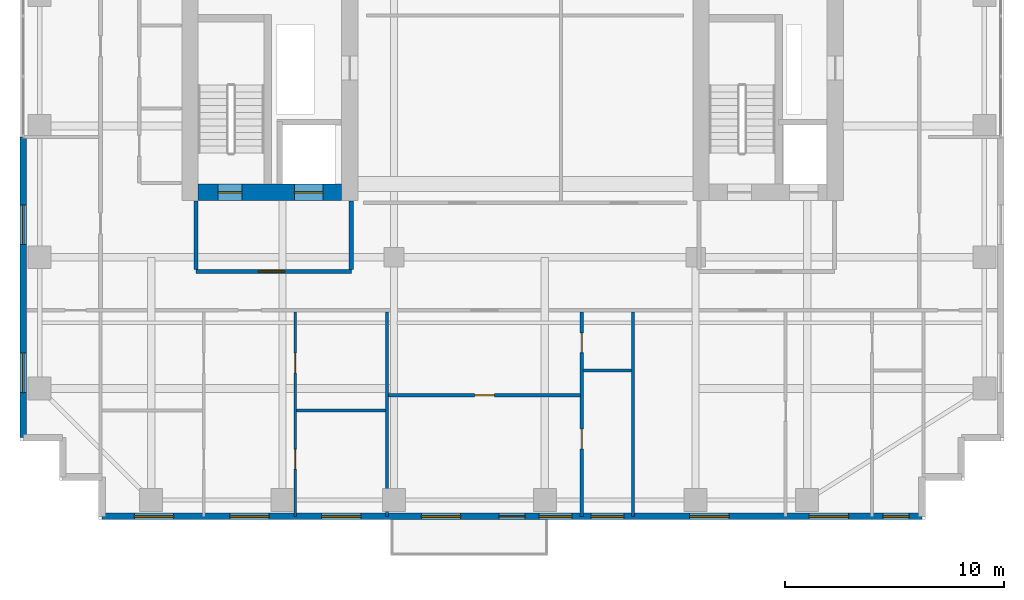
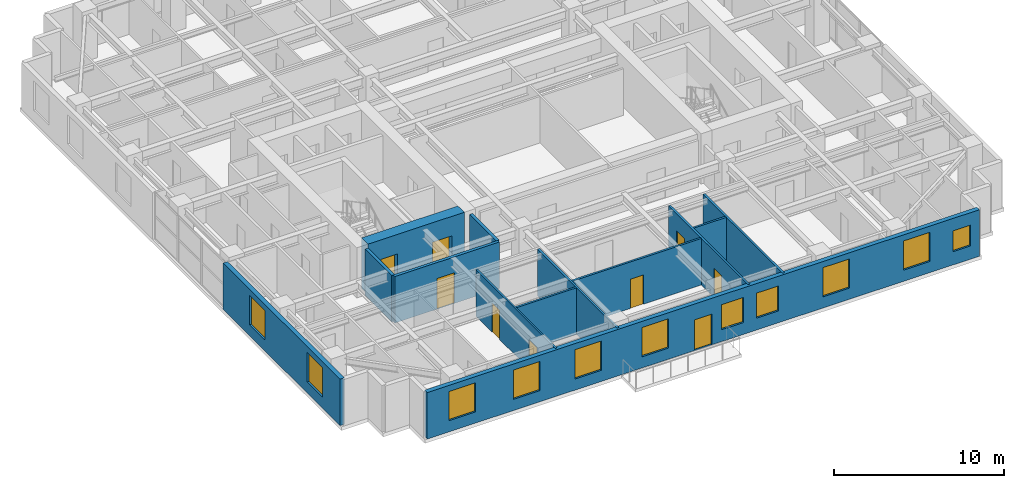
# One storey, part 7 of 13: 13 walls, 11 windows, 9 doors, 20 openings.
"""IFC4 building model written with IfcOpenShell, lengths in metres."""

from ifc_helpers import new_model, si_unit, direction, frame, frame_2d, origin, place, context, subcontext, project, spatial, rectangle, extrude, source, transform, mapped, material, layer, layer_set, type_object, element, fill, save


model = new_model("IFC4")

# Units and contexts
model_context = context("Model", 3, precision=1e-05, world=origin(), true_north=direction((0.0, 1.0)))
body_context = subcontext(model_context, "Body", "Model", "MODEL_VIEW")
ifc_project = project(units=[si_unit("LENGTHUNIT", "METRE"), si_unit("AREAUNIT", "SQUARE_METRE"), si_unit("VOLUMEUNIT", "CUBIC_METRE"), si_unit("PLANEANGLEUNIT", "RADIAN"), si_unit("MASSUNIT", "GRAM", prefix="KILO")], contexts=[model_context])

# Site, building, storey
site_placement = place(None, origin())
site = spatial("IfcSite", under=ifc_project, at=site_placement, CompositionType="ELEMENT")
building_placement = place(site_placement, origin())
building = spatial("IfcBuilding", under=site, at=building_placement, Name="Khoralis Quay Care Tower", CompositionType="ELEMENT")
storey_placement = place(building_placement, frame((0.0, 0.0, 87.300048828125)))
storey = spatial("IfcBuildingStorey", under=building, at=storey_placement, Name="L22", CompositionType="ELEMENT", Elevation=87.300048828125)

# Wall, opening, door
ifc_material_1 = material(Name="Gypsum plasterboard on acoustic metal stud")
ifc_layer_1 = layer(ifc_material_1, 0.199951171875)
ifc_layer_set_1 = layer_set([ifc_layer_1], Name="Gypsum plasterboard on acoustic metal stud")
wall_type_1 = type_object("IfcWallType", Name="WL-COMP-200", PredefinedType="PARTITIONING", material=ifc_layer_set_1)
wall_1_placement = place(storey_placement, frame((8.050048828125, 11.35009765625, 0.0), z_axis=(0.0, 0.0, 1.0), x_axis=(1.0, 0.0, 0.0)))
wall_1 = element("IfcWall", 1, at=wall_1_placement, inside=storey, type_object=wall_type_1, Name="L22 West Firefighting Lobby South Wall", PredefinedType="PARTITIONING", context=body_context, shape_type="SweptSolid", body=[
    extrude(rectangle(XDim=7.099853515625, YDim=0.199951171875, at=frame_2d((3.5498046875, 0.0))), origin(), (0.0, 0.0, 1.0), 3.33984375),
])
opening_1_placement = place(wall_1_placement, frame((2.846435546875, 0.0, 0.0)))
opening_1 = element("IfcOpeningElement", 2, at=opening_1_placement, cuts=wall_1, Name="Opening FD1", PredefinedType="OPENING", context=body_context, shape_type="SweptSolid", body=[
    extrude(rectangle(XDim=1.199951171875, YDim=2.199951171875, at=frame_2d((0.60009765625, 1.10009765625))), frame((0.0, 0.10986328125, 0.0), z_axis=(0.0, -1.0, 0.0), x_axis=(1.0, 0.0, 0.0)), (0.0, 0.0, 1.0), 0.219970703125),
])
ifc_material_2 = material(Name="Fire-rated painted steel", Category="steel")
door_type_1 = type_object("IfcDoorType", Name="DR-FFL-1200X2200", OperationType="NOTDEFINED", PredefinedType="DOOR", material=ifc_material_2)
shared_shape_1 = source(origin(), body_context, "Body", "SweptSolid", [
    extrude(rectangle(XDim=1.199951171875, YDim=2.199951171875, at=frame_2d((0.60009765625, 1.10009765625))), frame((0.0, 0.02490234375, 0.0), z_axis=(0.0, -1.0, 0.0), x_axis=(1.0, 0.0, 0.0)), (0.0, 0.0, 1.0), 0.050048828125),
])
door_1_placement = place(opening_1_placement, origin())
door_1 = element("IfcDoor", 3, at=door_1_placement, inside=storey, type_object=door_type_1, Name="L22 West Firefighting Lobby Fire Door", OperationType="SINGLE_SWING_RIGHT", OverallHeight=2.199951171875, OverallWidth=1.199951171875, PredefinedType="DOOR", context=body_context, shape_type="MappedRepresentation", body=[
    mapped(shared_shape_1, transform((0.0, 0.0, 0.0), scale=1.0)),
])
fill(opening_1, door_1)

# Walls
for number, where, z_axis, x_axis, name in (
    (4, (8.050048828125, 11.445068359375, 0.0), (0.0, 0.0, 1.0), (0.0, 1.0, 0.0), "L22 West Firefighting Lobby West Wall"),
    (5, (15.14990234375, 11.445068359375, 0.0), (0.0, 0.0, 1.0), (0.0, 1.0, 0.0), "L22 West Firefighting Lobby East Wall"),
):
    element("IfcWall", number, at=place(storey_placement, frame(where, z_axis=z_axis, x_axis=x_axis)), inside=storey, type_object=wall_type_1, Name=name, PredefinedType="PARTITIONING", context=body_context, shape_type="SweptSolid", body=[
        extrude(rectangle(XDim=3.135009765625, YDim=0.199951171875, at=frame_2d((1.5673828125, 0.0))), origin(), (0.0, 0.0, 1.0), 3.33984375),
    ])

# Wall, openings, doors
ifc_material_3 = material(Name="Concrete C80/95", Category="concrete")
ifc_layer_2 = layer(ifc_material_3, 0.75)
ifc_layer_set_2 = layer_set([ifc_layer_2], Name="Concrete C80/95")
wall_type_2 = type_object("IfcWallType", Name="WL-CORE-750", PredefinedType="SHEAR", material=ifc_layer_set_2)
wall_2_placement = place(storey_placement, frame((8.14990234375, 14.97509765625, 0.0), z_axis=(0.0, 0.0, 1.0), x_axis=(1.0, 0.0, 0.0)))
wall_2 = element("IfcWall", 6, at=wall_2_placement, inside=storey, type_object=wall_type_2, Name="L22 WCORE South Shear Wall", PredefinedType="SHEAR", context=body_context, shape_type="SweptSolid", body=[
    extrude(rectangle(XDim=6.550048828125, YDim=0.75, at=frame_2d((3.27490234375, 0.0))), origin(), (0.0, 0.0, 1.0), 3.599853515625),
])
opening_2_placement = place(wall_2_placement, frame((0.89990234375, 0.0, 0.0)))
opening_2 = element("IfcOpeningElement", 7, at=opening_2_placement, cuts=wall_2, Name="Opening SD1", PredefinedType="OPENING", context=body_context, shape_type="SweptSolid", body=[
    extrude(rectangle(XDim=1.10009765625, YDim=2.199951171875, at=frame_2d((0.550048828125, 1.10009765625))), frame((0.0, 0.385009765625, 0.0), z_axis=(0.0, -1.0, 0.0), x_axis=(1.0, 0.0, 0.0)), (0.0, 0.0, 1.0), 0.77001953125),
])
opening_3_placement = place(wall_2_placement, frame((4.39990234375, 0.0, 0.0)))
opening_3 = element("IfcOpeningElement", 8, at=opening_3_placement, cuts=wall_2, Name="Opening LD2", PredefinedType="OPENING", context=body_context, shape_type="SweptSolid", body=[
    extrude(rectangle(XDim=1.300048828125, YDim=2.199951171875, at=frame_2d((0.64990234375, 1.10009765625))), frame((0.0, 0.385009765625, 0.0), z_axis=(0.0, -1.0, 0.0), x_axis=(1.0, 0.0, 0.0)), (0.0, 0.0, 1.0), 0.77001953125),
])
door_type_2 = type_object("IfcDoorType", Name="DR-STAIR-1100X2200", OperationType="NOTDEFINED", PredefinedType="DOOR", material=ifc_material_2)
shared_shape_2 = source(origin(), body_context, "Body", "SweptSolid", [
    extrude(rectangle(XDim=1.10009765625, YDim=2.199951171875, at=frame_2d((0.550048828125, 1.10009765625))), frame((0.0, 0.02490234375, 0.0), z_axis=(0.0, -1.0, 0.0), x_axis=(1.0, 0.0, 0.0)), (0.0, 0.0, 1.0), 0.050048828125),
])
door_2_placement = place(opening_2_placement, origin())
door_2 = element("IfcDoor", 9, at=door_2_placement, inside=storey, type_object=door_type_2, Name="L22 Stair ST-T1 Fire Door", OperationType="SINGLE_SWING_RIGHT", OverallHeight=2.199951171875, OverallWidth=1.10009765625, PredefinedType="DOOR", context=body_context, shape_type="MappedRepresentation", body=[
    mapped(shared_shape_2, transform((0.0, 0.0, 0.0), scale=1.0)),
])
fill(opening_2, door_2)
ifc_material_4 = material(Name="Brushed stainless steel", Category="steel")
door_type_3 = type_object("IfcDoorType", Name="DR-LIFT-1300X2200", OperationType="SLIDING_TO_RIGHT", PredefinedType="DOOR", material=ifc_material_4)
shared_shape_3 = source(origin(), body_context, "Body", "SweptSolid", [
    extrude(rectangle(XDim=1.300048828125, YDim=2.199951171875, at=frame_2d((0.64990234375, 1.10009765625))), frame((0.0, 0.02490234375, 0.0), z_axis=(0.0, -1.0, 0.0), x_axis=(1.0, 0.0, 0.0)), (0.0, 0.0, 1.0), 0.050048828125),
])
door_3_placement = place(opening_3_placement, origin())
door_3 = element("IfcDoor", 10, at=door_3_placement, inside=storey, type_object=door_type_3, Name="L22 Firefighting Lift FFL-1 Landing Door", OperationType="SLIDING_TO_RIGHT", OverallHeight=2.199951171875, OverallWidth=1.300048828125, PredefinedType="DOOR", context=body_context, shape_type="MappedRepresentation", body=[
    mapped(shared_shape_3, transform((0.0, 0.0, 0.0), scale=1.0)),
])
fill(opening_3, door_3)

# Wall, openings, windows, door
ifc_material_5 = material(Name="Precast concrete C45/55", Category="concrete")
ifc_layer_3 = layer(ifc_material_5, 0.300048828125)
ifc_layer_set_3 = layer_set([ifc_layer_3], Name="Precast concrete C45/55")
wall_type_3 = type_object("IfcWallType", Name="WL-EXT-REF-300", PredefinedType="SOLIDWALL", material=ifc_layer_set_3)
wall_3_placement = place(storey_placement, frame((3.75, 0.14990234375, 0.0), z_axis=(0.0, 0.0, 1.0), x_axis=(1.0, 0.0, 0.0)))
wall_3 = element("IfcWall", 11, at=wall_3_placement, inside=storey, type_object=wall_type_3, Name="L22 External Facade Wall WL-EXT-L22-P1-E0", PredefinedType="SOLIDWALL", context=body_context, shape_type="SweptSolid", body=[
    extrude(rectangle(XDim=37.5, YDim=0.300048828125, at=frame_2d((18.75, 0.0))), origin(), (0.0, 0.0, 1.0), 3.33984375),
])
opening_4_placement = place(wall_3_placement, frame((1.47509765625, 0.0, 0.800048828125)))
opening_4 = element("IfcOpeningElement", 12, at=opening_4_placement, cuts=wall_3, Name="Opening W2", PredefinedType="OPENING", context=body_context, shape_type="SweptSolid", body=[
    extrude(rectangle(XDim=1.800048828125, YDim=2.10009765625, at=frame_2d((0.89990234375, 1.050048828125))), frame((0.0, 0.16015625, 0.0), z_axis=(0.0, -1.0, 0.0), x_axis=(1.0, 0.0, 0.0)), (0.0, 0.0, 1.0), 0.320068359375),
])
opening_5_placement = place(wall_3_placement, frame((5.847412109375, 0.0, 0.800048828125)))
opening_5 = element("IfcOpeningElement", 13, at=opening_5_placement, cuts=wall_3, Name="Opening W2", PredefinedType="OPENING", context=body_context, shape_type="SweptSolid", body=[
    extrude(rectangle(XDim=1.800048828125, YDim=2.10009765625, at=frame_2d((0.89990234375, 1.050048828125))), frame((0.0, 0.16015625, 0.0), z_axis=(0.0, -1.0, 0.0), x_axis=(1.0, 0.0, 0.0)), (0.0, 0.0, 1.0), 0.320068359375),
])
opening_6_placement = place(wall_3_placement, frame((10.04248046875, 0.0, 0.800048828125)))
opening_6 = element("IfcOpeningElement", 14, at=opening_6_placement, cuts=wall_3, Name="Opening W2", PredefinedType="OPENING", context=body_context, shape_type="SweptSolid", body=[
    extrude(rectangle(XDim=1.800048828125, YDim=2.10009765625, at=frame_2d((0.89990234375, 1.050048828125))), frame((0.0, 0.16015625, 0.0), z_axis=(0.0, -1.0, 0.0), x_axis=(1.0, 0.0, 0.0)), (0.0, 0.0, 1.0), 0.320068359375),
])
opening_7_placement = place(wall_3_placement, frame((14.60009765625, 0.0, 0.800048828125)))
opening_7 = element("IfcOpeningElement", 15, at=opening_7_placement, cuts=wall_3, Name="Opening W2", PredefinedType="OPENING", context=body_context, shape_type="SweptSolid", body=[
    extrude(rectangle(XDim=1.800048828125, YDim=2.10009765625, at=frame_2d((0.89990234375, 1.050048828125))), frame((0.0, 0.16015625, 0.0), z_axis=(0.0, -1.0, 0.0), x_axis=(1.0, 0.0, 0.0)), (0.0, 0.0, 1.0), 0.320068359375),
])
opening_8_placement = place(wall_3_placement, frame((19.989990234375, 0.0, 0.85009765625)))
opening_8 = element("IfcOpeningElement", 16, at=opening_8_placement, cuts=wall_3, Name="Opening W3", PredefinedType="OPENING", context=body_context, shape_type="SweptSolid", body=[
    extrude(rectangle(XDim=1.5, YDim=1.800048828125, at=frame_2d((0.75, 0.89990234375))), frame((0.0, 0.16015625, 0.0), z_axis=(0.0, -1.0, 0.0), x_axis=(1.0, 0.0, 0.0)), (0.0, 0.0, 1.0), 0.320068359375),
])
opening_9_placement = place(wall_3_placement, frame((22.364990234375, 0.0, 0.85009765625)))
opening_9 = element("IfcOpeningElement", 17, at=opening_9_placement, cuts=wall_3, Name="Opening W3", PredefinedType="OPENING", context=body_context, shape_type="SweptSolid", body=[
    extrude(rectangle(XDim=1.5, YDim=1.800048828125, at=frame_2d((0.75, 0.89990234375))), frame((0.0, 0.16015625, 0.0), z_axis=(0.0, -1.0, 0.0), x_axis=(1.0, 0.0, 0.0)), (0.0, 0.0, 1.0), 0.320068359375),
])
opening_10_placement = place(wall_3_placement, frame((26.875, 0.0, 0.800048828125)))
opening_10 = element("IfcOpeningElement", 18, at=opening_10_placement, cuts=wall_3, Name="Opening W2", PredefinedType="OPENING", context=body_context, shape_type="SweptSolid", body=[
    extrude(rectangle(XDim=1.800048828125, YDim=2.10009765625, at=frame_2d((0.89990234375, 1.050048828125))), frame((0.0, 0.16015625, 0.0), z_axis=(0.0, -1.0, 0.0), x_axis=(1.0, 0.0, 0.0)), (0.0, 0.0, 1.0), 0.320068359375),
])
opening_11_placement = place(wall_3_placement, frame((32.340087890625, 0.0, 0.800048828125)))
opening_11 = element("IfcOpeningElement", 19, at=opening_11_placement, cuts=wall_3, Name="Opening W2", PredefinedType="OPENING", context=body_context, shape_type="SweptSolid", body=[
    extrude(rectangle(XDim=1.800048828125, YDim=2.10009765625, at=frame_2d((0.89990234375, 1.050048828125))), frame((0.0, 0.16015625, 0.0), z_axis=(0.0, -1.0, 0.0), x_axis=(1.0, 0.0, 0.0)), (0.0, 0.0, 1.0), 0.320068359375),
])
opening_12_placement = place(wall_3_placement, frame((35.7099609375, 0.0, 0.949951171875)))
opening_12 = element("IfcOpeningElement", 20, at=opening_12_placement, cuts=wall_3, Name="Opening W6", PredefinedType="OPENING", context=body_context, shape_type="SweptSolid", body=[
    extrude(rectangle(XDim=1.199951171875, YDim=1.5, at=frame_2d((0.60009765625, 0.75))), frame((0.0, 0.16015625, 0.0), z_axis=(0.0, -1.0, 0.0), x_axis=(1.0, 0.0, 0.0)), (0.0, 0.0, 1.0), 0.320068359375),
])
opening_13_placement = place(wall_3_placement, frame((18.14990234375, 0.0, 0.0)))
opening_13 = element("IfcOpeningElement", 21, at=opening_13_placement, cuts=wall_3, Name="Opening BD1", PredefinedType="OPENING", context=body_context, shape_type="SweptSolid", body=[
    extrude(rectangle(XDim=1.199951171875, YDim=2.199951171875, at=frame_2d((0.60009765625, 1.10009765625))), frame((0.0, 0.16015625, 0.0), z_axis=(0.0, -1.0, 0.0), x_axis=(1.0, 0.0, 0.0)), (0.0, 0.0, 1.0), 0.320068359375),
])
ifc_material_6 = material(Name="Low-E solar-control double glazing", Category="glass")
window_type_1 = type_object("IfcWindowType", Name="WN-CLIN-1500X1800", PartitioningType="SINGLE_PANEL", PredefinedType="WINDOW", material=ifc_material_6)
shared_shape_4 = source(origin(), body_context, "Body", "SweptSolid", [
    extrude(rectangle(XDim=1.5, YDim=1.800048828125, at=frame_2d((0.75, 0.89990234375))), frame((0.0, 0.030029296875, 0.0), z_axis=(0.0, -1.0, 0.0), x_axis=(1.0, 0.0, 0.0)), (0.0, 0.0, 1.0), 0.06005859375),
])
window_1_placement = place(opening_8_placement, origin())
window_1 = element("IfcWindow", 22, at=window_1_placement, inside=storey, type_object=window_type_1, Name="WN-L22-P1-E0 Facade Window 05", OverallHeight=1.800048828125, OverallWidth=1.5, PartitioningType="SINGLE_PANEL", PredefinedType="WINDOW", context=body_context, shape_type="MappedRepresentation", body=[
    mapped(shared_shape_4, transform((0.0, 0.0, 0.0), scale=1.0)),
])
fill(opening_8, window_1)
window_2_placement = place(opening_9_placement, origin())
window_2 = element("IfcWindow", 23, at=window_2_placement, inside=storey, type_object=window_type_1, Name="WN-L22-P1-E0 Facade Window 06", OverallHeight=1.800048828125, OverallWidth=1.5, PartitioningType="SINGLE_PANEL", PredefinedType="WINDOW", context=body_context, shape_type="MappedRepresentation", body=[
    mapped(shared_shape_4, transform((0.0, 0.0, 0.0), scale=1.0)),
])
fill(opening_9, window_2)
window_type_2 = type_object("IfcWindowType", Name="WN-SCH-1200X1500", PartitioningType="SINGLE_PANEL", PredefinedType="WINDOW", material=ifc_material_6)
shared_shape_5 = source(origin(), body_context, "Body", "SweptSolid", [
    extrude(rectangle(XDim=1.199951171875, YDim=1.5, at=frame_2d((0.60009765625, 0.75))), frame((0.0, 0.030029296875, 0.0), z_axis=(0.0, -1.0, 0.0), x_axis=(1.0, 0.0, 0.0)), (0.0, 0.0, 1.0), 0.06005859375),
])
window_3_placement = place(opening_12_placement, origin())
window_3 = element("IfcWindow", 24, at=window_3_placement, inside=storey, type_object=window_type_2, Name="WN-L22-P1-E0 Facade Window 09", OverallHeight=1.5, OverallWidth=1.199951171875, PartitioningType="SINGLE_PANEL", PredefinedType="WINDOW", context=body_context, shape_type="MappedRepresentation", body=[
    mapped(shared_shape_5, transform((0.0, 0.0, 0.0), scale=1.0)),
])
fill(opening_12, window_3)
window_type_3 = type_object("IfcWindowType", Name="WN-POD-1800X2100", PartitioningType="SINGLE_PANEL", PredefinedType="WINDOW", material=ifc_material_6)
shared_shape_6 = source(origin(), body_context, "Body", "SweptSolid", [
    extrude(rectangle(XDim=1.800048828125, YDim=2.10009765625, at=frame_2d((0.89990234375, 1.050048828125))), frame((0.0, 0.030029296875, 0.0), z_axis=(0.0, -1.0, 0.0), x_axis=(1.0, 0.0, 0.0)), (0.0, 0.0, 1.0), 0.06005859375),
])
window_4_placement = place(opening_4_placement, origin())
window_4 = element("IfcWindow", 25, at=window_4_placement, inside=storey, type_object=window_type_3, Name="WN-L22-P1-E0 Facade Window 01", OverallHeight=2.10009765625, OverallWidth=1.800048828125, PartitioningType="SINGLE_PANEL", PredefinedType="WINDOW", context=body_context, shape_type="MappedRepresentation", body=[
    mapped(shared_shape_6, transform((0.0, 0.0, 0.0), scale=1.0)),
])
fill(opening_4, window_4)
window_5_placement = place(opening_5_placement, origin())
window_5 = element("IfcWindow", 26, at=window_5_placement, inside=storey, type_object=window_type_3, Name="WN-L22-P1-E0 Facade Window 02", OverallHeight=2.10009765625, OverallWidth=1.800048828125, PartitioningType="SINGLE_PANEL", PredefinedType="WINDOW", context=body_context, shape_type="MappedRepresentation", body=[
    mapped(shared_shape_6, transform((0.0, 0.0, 0.0), scale=1.0)),
])
fill(opening_5, window_5)
window_6_placement = place(opening_6_placement, origin())
window_6 = element("IfcWindow", 27, at=window_6_placement, inside=storey, type_object=window_type_3, Name="WN-L22-P1-E0 Facade Window 03", OverallHeight=2.10009765625, OverallWidth=1.800048828125, PartitioningType="SINGLE_PANEL", PredefinedType="WINDOW", context=body_context, shape_type="MappedRepresentation", body=[
    mapped(shared_shape_6, transform((0.0, 0.0, 0.0), scale=1.0)),
])
fill(opening_6, window_6)
window_7_placement = place(opening_7_placement, origin())
window_7 = element("IfcWindow", 28, at=window_7_placement, inside=storey, type_object=window_type_3, Name="WN-L22-P1-E0 Facade Window 04", OverallHeight=2.10009765625, OverallWidth=1.800048828125, PartitioningType="SINGLE_PANEL", PredefinedType="WINDOW", context=body_context, shape_type="MappedRepresentation", body=[
    mapped(shared_shape_6, transform((0.0, 0.0, 0.0), scale=1.0)),
])
fill(opening_7, window_7)
window_8_placement = place(opening_10_placement, origin())
window_8 = element("IfcWindow", 29, at=window_8_placement, inside=storey, type_object=window_type_3, Name="WN-L22-P1-E0 Facade Window 07", OverallHeight=2.10009765625, OverallWidth=1.800048828125, PartitioningType="SINGLE_PANEL", PredefinedType="WINDOW", context=body_context, shape_type="MappedRepresentation", body=[
    mapped(shared_shape_6, transform((0.0, 0.0, 0.0), scale=1.0)),
])
fill(opening_10, window_8)
window_9_placement = place(opening_11_placement, origin())
window_9 = element("IfcWindow", 30, at=window_9_placement, inside=storey, type_object=window_type_3, Name="WN-L22-P1-E0 Facade Window 08", OverallHeight=2.10009765625, OverallWidth=1.800048828125, PartitioningType="SINGLE_PANEL", PredefinedType="WINDOW", context=body_context, shape_type="MappedRepresentation", body=[
    mapped(shared_shape_6, transform((0.0, 0.0, 0.0), scale=1.0)),
])
fill(opening_11, window_9)
ifc_material_7 = material(Name="Anodised aluminium and laminated safety glass", Category="aluminium")
door_type_4 = type_object("IfcDoorType", Name="DR-EXT-BALC-1200X2200", OperationType="NOTDEFINED", PredefinedType="DOOR", material=ifc_material_7)
shared_shape_7 = source(origin(), body_context, "Body", "SweptSolid", [
    extrude(rectangle(XDim=1.199951171875, YDim=2.199951171875, at=frame_2d((0.60009765625, 1.10009765625))), frame((0.0, 0.02490234375, 0.0), z_axis=(0.0, -1.0, 0.0), x_axis=(1.0, 0.0, 0.0)), (0.0, 0.0, 1.0), 0.050048828125),
])
door_4_placement = place(opening_13_placement, frame((1.199951171875, 0.0, 0.0), z_axis=(0.0, 0.0, 1.0), x_axis=(-1.0, 0.0, 0.0)))
door_4 = element("IfcDoor", 31, at=door_4_placement, inside=storey, type_object=door_type_4, Name="L22 Senior Loggia Balcony Door", OperationType="SINGLE_SWING_LEFT", OverallHeight=2.199951171875, OverallWidth=1.199951171875, PredefinedType="DOOR", context=body_context, shape_type="MappedRepresentation", body=[
    mapped(shared_shape_7, transform((0.0, 0.0, 0.0), scale=1.0)),
])
fill(opening_13, door_4)

# Wall, openings, windows
wall_4_placement = place(storey_placement, frame((0.14990234375, 17.5, 0.0), z_axis=(0.0, 0.0, 1.0), x_axis=(0.0, -1.0, 0.0)))
wall_4 = element("IfcWall", 32, at=wall_4_placement, inside=storey, type_object=wall_type_3, Name="L22 External Facade Wall WL-EXT-L22-P1-E15B", PredefinedType="SOLIDWALL", context=body_context, shape_type="SweptSolid", body=[
    extrude(rectangle(XDim=13.75, YDim=0.300048828125, at=frame_2d((6.875, 0.0))), origin(), (0.0, 0.0, 1.0), 3.33984375),
])
opening_14_placement = place(wall_4_placement, frame((3.110107421875, 0.0, 0.800048828125)))
opening_14 = element("IfcOpeningElement", 33, at=opening_14_placement, cuts=wall_4, Name="Opening W2", PredefinedType="OPENING", context=body_context, shape_type="SweptSolid", body=[
    extrude(rectangle(XDim=1.800048828125, YDim=2.10009765625, at=frame_2d((0.89990234375, 1.050048828125))), frame((0.0, 0.16015625, 0.0), z_axis=(0.0, -1.0, 0.0), x_axis=(1.0, 0.0, 0.0)), (0.0, 0.0, 1.0), 0.320068359375),
])
opening_15_placement = place(wall_4_placement, frame((9.885009765625, 0.0, 0.800048828125)))
opening_15 = element("IfcOpeningElement", 34, at=opening_15_placement, cuts=wall_4, Name="Opening W2", PredefinedType="OPENING", context=body_context, shape_type="SweptSolid", body=[
    extrude(rectangle(XDim=1.800048828125, YDim=2.10009765625, at=frame_2d((0.89990234375, 1.050048828125))), frame((0.0, 0.16015625, 0.0), z_axis=(0.0, -1.0, 0.0), x_axis=(1.0, 0.0, 0.0)), (0.0, 0.0, 1.0), 0.320068359375),
])
window_10_placement = place(opening_14_placement, origin())
window_10 = element("IfcWindow", 35, at=window_10_placement, inside=storey, type_object=window_type_3, Name="WN-L22-P1-E15B Facade Window 01", OverallHeight=2.10009765625, OverallWidth=1.800048828125, PartitioningType="SINGLE_PANEL", PredefinedType="WINDOW", context=body_context, shape_type="MappedRepresentation", body=[
    mapped(shared_shape_6, transform((0.0, 0.0, 0.0), scale=1.0)),
])
fill(opening_14, window_10)
window_11_placement = place(opening_15_placement, origin())
window_11 = element("IfcWindow", 36, at=window_11_placement, inside=storey, type_object=window_type_3, Name="WN-L22-P1-E15B Facade Window 02", OverallHeight=2.10009765625, OverallWidth=1.800048828125, PartitioningType="SINGLE_PANEL", PredefinedType="WINDOW", context=body_context, shape_type="MappedRepresentation", body=[
    mapped(shared_shape_6, transform((0.0, 0.0, 0.0), scale=1.0)),
])
fill(opening_15, window_11)

# Wall, openings, doors
ifc_layer_4 = layer(ifc_material_1, 0.114990234375)
ifc_layer_set_4 = layer_set([ifc_layer_4], Name="Gypsum plasterboard on acoustic metal stud")
wall_type_4 = type_object("IfcWallType", Name="WL-PART-115", PredefinedType="PARTITIONING", material=ifc_layer_set_4)
wall_5_placement = place(storey_placement, frame((12.594970703125, 0.14501953125, 0.0), z_axis=(0.0, 0.0, 1.0), x_axis=(0.0, 1.0, 0.0)))
wall_5 = element("IfcWall", 37, at=wall_5_placement, inside=storey, type_object=wall_type_4, Name="L22 2BR 0 Right Wall", PredefinedType="PARTITIONING", context=body_context, shape_type="SweptSolid", body=[
    extrude(rectangle(XDim=9.357421875, YDim=0.114990234375, at=frame_2d((4.6787109375, 0.0))), origin(), (0.0, 0.0, 1.0), 3.33984375),
])
opening_16_placement = place(wall_5_placement, frame((2.1708984375, 0.0, 0.0)))
opening_16 = element("IfcOpeningElement", 38, at=opening_16_placement, cuts=wall_5, Name="Opening WD1", PredefinedType="OPENING", context=body_context, shape_type="SweptSolid", body=[
    extrude(rectangle(XDim=0.89990234375, YDim=2.10009765625, at=frame_2d((0.449951171875, 1.050048828125))), frame((0.0, 0.0673828125, 0.0), z_axis=(0.0, -1.0, 0.0), x_axis=(1.0, 0.0, 0.0)), (0.0, 0.0, 1.0), 0.135009765625),
])
opening_17_placement = place(wall_5_placement, frame((6.571044921875, 0.0, 0.0)))
opening_17 = element("IfcOpeningElement", 39, at=opening_17_placement, cuts=wall_5, Name="Opening WD1", PredefinedType="OPENING", context=body_context, shape_type="SweptSolid", body=[
    extrude(rectangle(XDim=0.89990234375, YDim=2.10009765625, at=frame_2d((0.449951171875, 1.050048828125))), frame((0.0, 0.0673828125, 0.0), z_axis=(0.0, -1.0, 0.0), x_axis=(1.0, 0.0, 0.0)), (0.0, 0.0, 1.0), 0.135009765625),
])
ifc_material_8 = material(Name="Acoustic hardwood timber", Category="wood")
door_type_5 = type_object("IfcDoorType", Name="DR-BATH-900X2100", OperationType="NOTDEFINED", PredefinedType="DOOR", material=ifc_material_8)
shared_shape_8 = source(origin(), body_context, "Body", "SweptSolid", [
    extrude(rectangle(XDim=0.89990234375, YDim=2.10009765625, at=frame_2d((0.449951171875, 1.050048828125))), frame((0.0, 0.02490234375, 0.0), z_axis=(0.0, -1.0, 0.0), x_axis=(1.0, 0.0, 0.0)), (0.0, 0.0, 1.0), 0.050048828125),
])
door_5_placement = place(opening_16_placement, frame((0.89990234375, 0.0, 0.0), z_axis=(0.0, 0.0, 1.0), x_axis=(-1.0, 0.0, 0.0)))
door_5 = element("IfcDoor", 40, at=door_5_placement, inside=storey, type_object=door_type_5, Name="L22 2BR BD2 Door", OperationType="SINGLE_SWING_LEFT", OverallHeight=2.10009765625, OverallWidth=0.89990234375, PredefinedType="DOOR", context=body_context, shape_type="MappedRepresentation", body=[
    mapped(shared_shape_8, transform((0.0, 0.0, 0.0), scale=1.0)),
])
fill(opening_16, door_5)
door_6_placement = place(opening_17_placement, frame((0.89990234375, 0.0, 0.0), z_axis=(0.0, 0.0, 1.0), x_axis=(-1.0, 0.0, 0.0)))
door_6 = element("IfcDoor", 41, at=door_6_placement, inside=storey, type_object=door_type_5, Name="L22 2BR KIT Door", OperationType="SINGLE_SWING_RIGHT", OverallHeight=2.10009765625, OverallWidth=0.89990234375, PredefinedType="DOOR", context=body_context, shape_type="MappedRepresentation", body=[
    mapped(shared_shape_8, transform((0.0, 0.0, 0.0), scale=1.0)),
])
fill(opening_17, door_6)

# Wall
ifc_material_9 = material(Name="Moisture-resistant gypsum and ceramic tile")
ifc_layer_5 = layer(ifc_material_9, 0.280029296875)
ifc_layer_set_5 = layer_set([ifc_layer_5], Name="Moisture-resistant gypsum and ceramic tile")
wall_type_5 = type_object("IfcWallType", Name="WL-PLUMB-280", PredefinedType="PLUMBINGWALL", material=ifc_layer_set_5)
wall_6_placement = place(storey_placement, frame((12.6474609375, 4.98193359375, 0.0), z_axis=(0.0, 0.0, 1.0), x_axis=(1.0, 0.0, 0.0)))
element("IfcWall", 42, at=wall_6_placement, inside=storey, type_object=wall_type_5, Name="L22 2BR 0 Right Split", PredefinedType="PLUMBINGWALL", context=body_context, shape_type="SweptSolid", body=[
    extrude(rectangle(XDim=4.07763671875, YDim=0.139892578125, at=frame_2d((2.038818359375, 0.0))), origin(), (0.0, 0.0, 1.0), 3.33984375),
])

# Wall, openings, doors
wall_7_placement = place(storey_placement, frame((25.68994140625, 0.14501953125, 0.0), z_axis=(0.0, 0.0, 1.0), x_axis=(0.0, 1.0, 0.0)))
wall_7 = element("IfcWall", 43, at=wall_7_placement, inside=storey, type_object=wall_type_5, Name="L22 Care Suite 1 En-Suite Wall V", PredefinedType="PLUMBINGWALL", context=body_context, shape_type="SweptSolid", body=[
    extrude(rectangle(XDim=9.357421875, YDim=0.139892578125, at=frame_2d((4.6787109375, 0.0))), origin(), (0.0, 0.0, 1.0), 3.33984375),
])
opening_18_placement = place(wall_7_placement, frame((7.4951171875, 0.0, 0.0)))
opening_18 = element("IfcOpeningElement", 44, at=opening_18_placement, cuts=wall_7, Name="Opening WD1", PredefinedType="OPENING", context=body_context, shape_type="SweptSolid", body=[
    extrude(rectangle(XDim=0.89990234375, YDim=2.10009765625, at=frame_2d((0.449951171875, 1.050048828125))), frame((0.0, 0.080078125, 0.0), z_axis=(0.0, -1.0, 0.0), x_axis=(1.0, 0.0, 0.0)), (0.0, 0.0, 1.0), 0.159912109375),
])
opening_19_placement = place(wall_7_placement, frame((3.094970703125, 0.0, 0.0)))
opening_19 = element("IfcOpeningElement", 45, at=opening_19_placement, cuts=wall_7, Name="Opening WD1", PredefinedType="OPENING", context=body_context, shape_type="SweptSolid", body=[
    extrude(rectangle(XDim=0.89990234375, YDim=2.10009765625, at=frame_2d((0.449951171875, 1.050048828125))), frame((0.0, 0.080078125, 0.0), z_axis=(0.0, -1.0, 0.0), x_axis=(1.0, 0.0, 0.0)), (0.0, 0.0, 1.0), 0.159912109375),
])
door_7_placement = place(opening_18_placement, frame((0.89990234375, 0.0, 0.0), z_axis=(0.0, 0.0, 1.0), x_axis=(-1.0, 0.0, 0.0)))
door_7 = element("IfcDoor", 46, at=door_7_placement, inside=storey, type_object=door_type_5, Name="L22 Care CENS Door", OperationType="SINGLE_SWING_RIGHT", OverallHeight=2.10009765625, OverallWidth=0.89990234375, PredefinedType="DOOR", context=body_context, shape_type="MappedRepresentation", body=[
    mapped(shared_shape_8, transform((0.0, 0.0, 0.0), scale=1.0)),
])
fill(opening_18, door_7)
door_8_placement = place(opening_19_placement, frame((0.89990234375, 0.0, 0.0), z_axis=(0.0, 0.0, 1.0), x_axis=(-1.0, 0.0, 0.0)))
door_8 = element("IfcDoor", 47, at=door_8_placement, inside=storey, type_object=door_type_5, Name="L22 Care CSIT Door", OperationType="SINGLE_SWING_LEFT", OverallHeight=2.10009765625, OverallWidth=0.89990234375, PredefinedType="DOOR", context=body_context, shape_type="MappedRepresentation", body=[
    mapped(shared_shape_8, transform((0.0, 0.0, 0.0), scale=1.0)),
])
fill(opening_19, door_8)

# Walls
wall_8_placement = place(storey_placement, frame((25.7548828125, 6.830078125, 0.0), z_axis=(0.0, 0.0, 1.0), x_axis=(1.0, 0.0, 0.0)))
element("IfcWall", 48, at=wall_8_placement, inside=storey, type_object=wall_type_5, Name="L22 Care Suite 1 En-Suite Wall H", PredefinedType="PLUMBINGWALL", context=body_context, shape_type="SweptSolid", body=[
    extrude(rectangle(XDim=2.22021484375, YDim=0.139892578125, at=frame_2d((1.110107421875, 0.0))), origin(), (0.0, 0.0, 1.0), 3.33984375),
])
ifc_layer_6 = layer(ifc_material_1, 0.139892578125)
ifc_layer_set_6 = layer_set([ifc_layer_6], Name="Gypsum plasterboard on acoustic metal stud")
wall_type_6 = type_object("IfcWallType", Name="WL-UNIT-140", PredefinedType="PARTITIONING", material=ifc_layer_set_6)
for number, where, z_axis, x_axis, name in (
    (49, (16.7900390625, 0.14501953125, 0.0), (0.0, 0.0, 1.0), (0.0, 1.0, 0.0), "L22 SB Demising Wall 1"),
    (50, (28.0400390625, 0.14501953125, 0.0), (0.0, 0.0, 1.0), (0.0, 1.0, 0.0), "L22 SB Demising Wall 2"),
):
    element("IfcWall", number, at=place(storey_placement, frame(where, z_axis=z_axis, x_axis=x_axis)), inside=storey, type_object=wall_type_6, Name=name, PredefinedType="PARTITIONING", context=body_context, shape_type="SweptSolid", body=[
        extrude(rectangle(XDim=9.357421875, YDim=0.139892578125, at=frame_2d((4.6787109375, 0.0))), origin(), (0.0, 0.0, 1.0), 3.33984375),
    ])

# Wall, opening, door
wall_9_placement = place(storey_placement, frame((16.85498046875, 5.68994140625, 0.0), z_axis=(0.0, 0.0, 1.0), x_axis=(1.0, 0.0, 0.0)))
wall_9 = element("IfcWall", 51, at=wall_9_placement, inside=storey, type_object=wall_type_6, Name="Skilled Care Bedroom L22-SB1 Sub-Partition", PredefinedType="PARTITIONING", context=body_context, shape_type="SweptSolid", body=[
    extrude(rectangle(XDim=8.77001953125, YDim=0.139892578125, at=frame_2d((4.385009765625, 0.0))), origin(), (0.0, 0.0, 1.0), 3.33984375),
])
opening_20_placement = place(wall_9_placement, frame((3.93505859375, 0.0, 0.0)))
opening_20 = element("IfcOpeningElement", 52, at=opening_20_placement, cuts=wall_9, Name="Opening WD1", PredefinedType="OPENING", context=body_context, shape_type="SweptSolid", body=[
    extrude(rectangle(XDim=0.89990234375, YDim=2.10009765625, at=frame_2d((0.449951171875, 1.050048828125))), frame((0.0, 0.080078125, 0.0), z_axis=(0.0, -1.0, 0.0), x_axis=(1.0, 0.0, 0.0)), (0.0, 0.0, 1.0), 0.159912109375),
])
door_9_placement = place(opening_20_placement, origin())
door_9 = element("IfcDoor", 53, at=door_9_placement, inside=storey, type_object=door_type_5, Name="Private Study & Reading Alcove ARE1 Door", OperationType="SINGLE_SWING_LEFT", OverallHeight=2.10009765625, OverallWidth=0.89990234375, PredefinedType="DOOR", context=body_context, shape_type="MappedRepresentation", body=[
    mapped(shared_shape_8, transform((0.0, 0.0, 0.0), scale=1.0)),
])
fill(opening_20, door_9)

save(model, "model.ifc")
